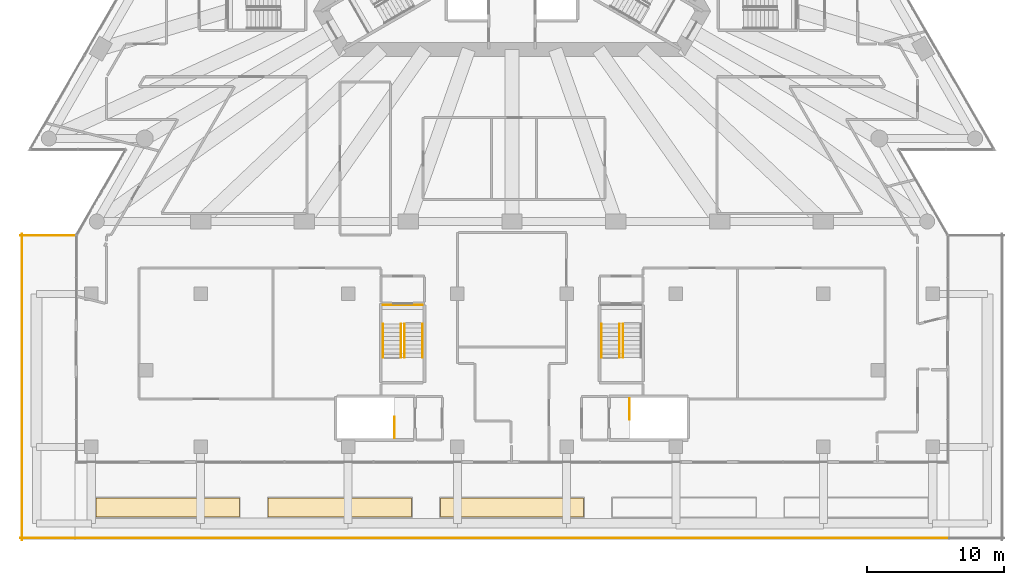
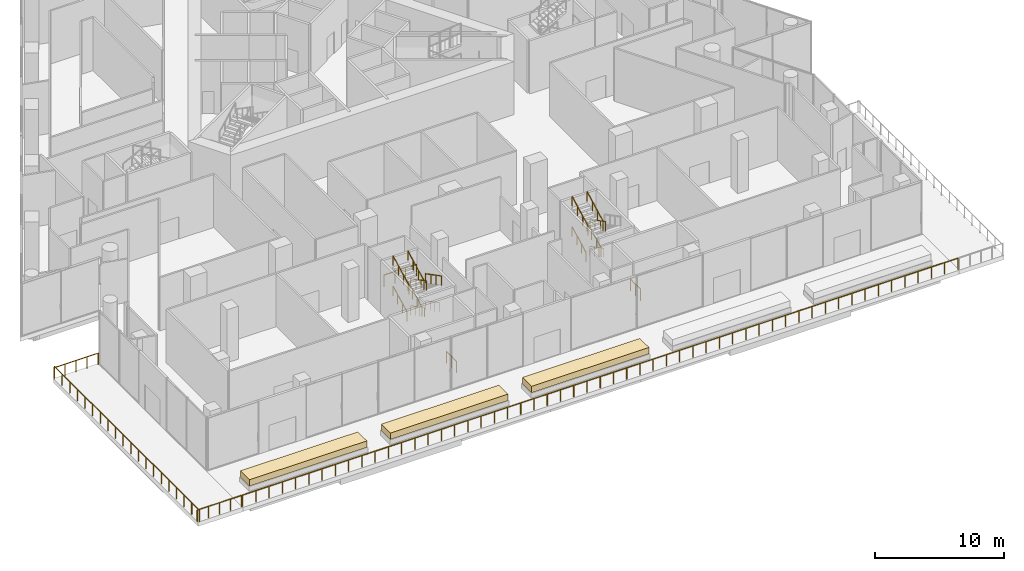
# One storey, part 30 of 32: 21 railings, 3 coverings, 2 elements without a shape of their own.
"""IFC4 building model written with IfcOpenShell, lengths in metres."""

from ifc_helpers import new_model, si_unit, direction, frame, origin, origin_2d, place, context, subcontext, project, spatial, polyline, circle, outline, extrude, material, layer, layer_set, type_object, element, aggregate, save


model = new_model("IFC4")

# Units and contexts
model_context = context("Model", 3, precision=1e-05, world=origin(), true_north=direction((0.0, 1.0)))
body_context = subcontext(model_context, "Body", "Model", "MODEL_VIEW")
ifc_project = project(units=[si_unit("LENGTHUNIT", "METRE"), si_unit("AREAUNIT", "SQUARE_METRE"), si_unit("VOLUMEUNIT", "CUBIC_METRE"), si_unit("PLANEANGLEUNIT", "RADIAN"), si_unit("MASSUNIT", "GRAM", prefix="KILO")], contexts=[model_context])

# Site, building, storey
site_placement = place(None, origin())
site = spatial("IfcSite", under=ifc_project, at=site_placement, CompositionType="ELEMENT")
building_placement = place(site_placement, origin())
building = spatial("IfcBuilding", under=site, at=building_placement, Name="Triada Interchange Tower", CompositionType="ELEMENT")
storey_placement = place(building_placement, frame((0.0, 0.0, 14.5)))
storey = spatial("IfcBuildingStorey", under=building, at=storey_placement, Name="L02", CompositionType="ELEMENT", Elevation=14.5)

# Coverings
ifc_material_1 = material(Name="Planting soil")
ifc_layer = layer(ifc_material_1, 0.60009765625)
ifc_layer_set = layer_set([ifc_layer], Name="Planting bed 600")
covering_type = type_object("IfcCoveringType", Name="Planting bed 600", PredefinedType="FLOORING", material=ifc_layer_set)
covering_1_placement = place(storey_placement, frame((0.0, 0.0, 0.449951171875)))
element("IfcCovering", 1, at=covering_1_placement, inside=storey, type_object=covering_type, Name="Planting bed PLANTER L02 07", PredefinedType="FLOORING", context=body_context, shape_type="SweptSolid", body=[
    extrude(outline(polyline([(-30.449951171875, -43.22998046875), (-19.949951171875, -43.22998046875), (-19.949951171875, -41.830078125), (-30.449951171875, -41.830078125), (-30.449951171875, -43.22998046875)])), origin(), (0.0, 0.0, 1.0), 0.60009765625),
])
covering_2_placement = place(storey_placement, frame((0.0, 0.0, 0.449951171875)))
element("IfcCovering", 2, at=covering_2_placement, inside=storey, type_object=covering_type, Name="Planting bed PLANTER L02 08", PredefinedType="FLOORING", context=body_context, shape_type="SweptSolid", body=[
    extrude(outline(polyline([(-17.85009765625, -43.22998046875), (-7.35009765625, -43.22998046875), (-7.35009765625, -41.830078125), (-17.85009765625, -41.830078125), (-17.85009765625, -43.22998046875)])), origin(), (0.0, 0.0, 1.0), 0.60009765625),
])
covering_3_placement = place(storey_placement, frame((0.0, 0.0, 0.449951171875)))
element("IfcCovering", 3, at=covering_3_placement, inside=storey, type_object=covering_type, Name="Planting bed PLANTER L02 09", PredefinedType="FLOORING", context=body_context, shape_type="SweptSolid", body=[
    extrude(outline(polyline([(-5.25, -43.22998046875), (5.25, -43.22998046875), (5.25, -41.830078125), (-5.25, -41.830078125), (-5.25, -43.22998046875)])), origin(), (0.0, 0.0, 1.0), 0.60009765625),
])

# Stair, railing
ifc_material_2 = material(Name="Concrete C35/45", Category="concrete")
stair_type = type_object("IfcStairType", Name="HALF TURN STAIR 1400", PredefinedType="HALF_TURN_STAIR", material=ifc_material_2)
stair_1_placement = place(storey_placement, origin())
stair_1 = element("IfcStair", 4, at=stair_1_placement, inside=storey, type_object=stair_type, Name="Exit stair S02-11", PredefinedType="HALF_TURN_STAIR")
ifc_material_3 = material(Name="Stainless steel 1.4301", Category="steel")
railing_type_1 = type_object("IfcRailingType", Name="STAIR GUARD 1100", PredefinedType="GUARDRAIL", material=ifc_material_3)
railing_1_placement = place(storey_placement, frame((-6.550048828125, -27.699951171875, 2.541015625)))
railing_1 = element("IfcRailing", 5, at=railing_1_placement, type_object=railing_type_1, Name="Guard S02-11 1", PredefinedType="GUARDRAIL", context=body_context, shape_type="SweptSolid", body=[
    extrude(circle(Radius=0.02392578125, at=origin_2d()), frame((0.0, 0.0, 1.076171875), z_axis=(-1.0, 0.0, 0.0), x_axis=(0.0, -1.0, 0.0)), (0.0, 0.0, 1.0), 2.89990234375),
    extrude(circle(Radius=0.02099609375, at=origin_2d()), origin(), (0.0, 0.0, 1.0), 1.052001953125),
    extrude(circle(Radius=0.02099609375, at=origin_2d()), frame((-0.966552734375, 0.0, 0.0)), (0.0, 0.0, 1.0), 1.052001953125),
    extrude(circle(Radius=0.02099609375, at=origin_2d()), frame((-1.933349609375, 0.0, 0.0)), (0.0, 0.0, 1.0), 1.052001953125),
    extrude(circle(Radius=0.02099609375, at=origin_2d()), frame((-2.89990234375, 0.0, 0.0)), (0.0, 0.0, 1.0), 1.052001953125),
])

# Railings
railing_2_placement = place(storey_placement, frame((-8.60009765625, -37.449951171875, 0.0)))
element("IfcRailing", 6, at=railing_2_placement, inside=storey, type_object=railing_type_1, Name="Guard well PX1 L02", PredefinedType="GUARDRAIL", context=body_context, shape_type="SweptSolid", body=[
    extrude(circle(Radius=0.02392578125, at=origin_2d()), frame((0.0, 0.0, 1.076171875), z_axis=(0.0, 1.0, 0.0), x_axis=(-1.0, 0.0, 0.0)), (0.0, 0.0, 1.0), 1.550048828125),
    extrude(circle(Radius=0.02099609375, at=origin_2d()), origin(), (0.0, 0.0, 1.0), 1.052001953125),
    extrude(circle(Radius=0.02099609375, at=origin_2d()), frame((0.0, 0.77490234375, 0.0)), (0.0, 0.0, 1.0), 1.052001953125),
    extrude(circle(Radius=0.02099609375, at=origin_2d()), frame((0.0, 1.550048828125, 0.0)), (0.0, 0.0, 1.0), 1.052001953125),
])
railing_3_placement = place(storey_placement, frame((8.60009765625, -34.550048828125, 0.0)))
element("IfcRailing", 7, at=railing_3_placement, inside=storey, type_object=railing_type_1, Name="Guard well PX2 L02", PredefinedType="GUARDRAIL", context=body_context, shape_type="SweptSolid", body=[
    extrude(circle(Radius=0.02392578125, at=origin_2d()), frame((0.0, 0.0, 1.076171875), z_axis=(0.0, -1.0, 0.0), x_axis=(1.0, 0.0, 0.0)), (0.0, 0.0, 1.0), 1.550048828125),
    extrude(circle(Radius=0.02099609375, at=origin_2d()), origin(), (0.0, 0.0, 1.0), 1.052001953125),
    extrude(circle(Radius=0.02099609375, at=origin_2d()), frame((0.0, -0.77490234375, 0.0)), (0.0, 0.0, 1.0), 1.052001953125),
    extrude(circle(Radius=0.02099609375, at=origin_2d()), frame((0.0, -1.550048828125, 0.0)), (0.0, 0.0, 1.0), 1.052001953125),
])

# Stair, railings
stair_2_placement = place(storey_placement, origin())
stair_2 = element("IfcStair", 8, at=stair_2_placement, inside=storey, type_object=stair_type, Name="Exit stair S02-10", PredefinedType="HALF_TURN_STAIR")
railing_type_2 = type_object("IfcRailingType", Name="STAIR HANDRAIL 900", PredefinedType="HANDRAIL", material=ifc_material_3)
railing_4_placement = place(storey_placement, frame((8.1201171875, -29.10009765625, 0.15869140625)))
railing_4 = element("IfcRailing", 9, at=railing_4_placement, type_object=railing_type_2, Name="Handrail S02-10 1C", PredefinedType="HANDRAIL", context=body_context, shape_type="SweptSolid", body=[
    extrude(circle(Radius=0.02392578125, at=origin_2d()), frame((0.0, 0.0, 0.8759765625), z_axis=(0.0, -0.886942649844, 0.461879568598), x_axis=(1.0, 0.0, 0.0)), (0.0, 0.0, 1.0), 2.4072265625),
    extrude(circle(Radius=0.02099609375, at=origin_2d()), origin(), (0.0, 0.0, 1.0), 0.851806640625),
    extrude(circle(Radius=0.02099609375, at=origin_2d()), frame((0.0, -0.711669921875, 0.37060546875)), (0.0, 0.0, 1.0), 0.851806640625),
    extrude(circle(Radius=0.02099609375, at=origin_2d()), frame((0.0, -1.42333984375, 0.7412109375)), (0.0, 0.0, 1.0), 0.851806640625),
    extrude(circle(Radius=0.02099609375, at=origin_2d()), frame((0.0, -2.135009765625, 1.11181640625)), (0.0, 0.0, 1.0), 0.851806640625),
])
railing_5_placement = place(storey_placement, frame((6.550048828125, -31.235107421875, 1.429443359375)))
railing_5 = element("IfcRailing", 10, at=railing_5_placement, type_object=railing_type_2, Name="Handrail S02-10 2W", PredefinedType="HANDRAIL", context=body_context, shape_type="SweptSolid", body=[
    extrude(circle(Radius=0.02392578125, at=origin_2d()), frame((0.0, 0.0, 0.8759765625), z_axis=(0.0, 0.886942649844, 0.461879568598), x_axis=(-1.0, 0.0, 0.0)), (0.0, 0.0, 1.0), 2.4072265625),
    extrude(circle(Radius=0.02099609375, at=origin_2d()), origin(), (0.0, 0.0, 1.0), 0.851806640625),
    extrude(circle(Radius=0.02099609375, at=origin_2d()), frame((0.0, 0.711669921875, 0.37060546875)), (0.0, 0.0, 1.0), 0.851806640625),
    extrude(circle(Radius=0.02099609375, at=origin_2d()), frame((0.0, 1.42333984375, 0.7412109375)), (0.0, 0.0, 1.0), 0.851806640625),
    extrude(circle(Radius=0.02099609375, at=origin_2d()), frame((0.0, 2.135009765625, 1.11181640625)), (0.0, 0.0, 1.0), 0.851806640625),
])
railing_6_placement = place(storey_placement, frame((7.8798828125, -31.235107421875, 1.429443359375)))
railing_6 = element("IfcRailing", 11, at=railing_6_placement, type_object=railing_type_2, Name="Handrail S02-10 2C", PredefinedType="HANDRAIL", context=body_context, shape_type="SweptSolid", body=[
    extrude(circle(Radius=0.02392578125, at=origin_2d()), frame((0.0, 0.0, 0.8759765625), z_axis=(0.0, 0.886942649844, 0.461879568598), x_axis=(-1.0, 0.0, 0.0)), (0.0, 0.0, 1.0), 2.4072265625),
    extrude(circle(Radius=0.02099609375, at=origin_2d()), origin(), (0.0, 0.0, 1.0), 0.851806640625),
    extrude(circle(Radius=0.02099609375, at=origin_2d()), frame((0.0, 0.711669921875, 0.37060546875)), (0.0, 0.0, 1.0), 0.851806640625),
    extrude(circle(Radius=0.02099609375, at=origin_2d()), frame((0.0, 1.42333984375, 0.7412109375)), (0.0, 0.0, 1.0), 0.851806640625),
    extrude(circle(Radius=0.02099609375, at=origin_2d()), frame((0.0, 2.135009765625, 1.11181640625)), (0.0, 0.0, 1.0), 0.851806640625),
])
railing_7_placement = place(storey_placement, frame((8.1201171875, -29.10009765625, 2.699951171875)))
railing_7 = element("IfcRailing", 12, at=railing_7_placement, type_object=railing_type_2, Name="Handrail S02-10 3C", PredefinedType="HANDRAIL", context=body_context, shape_type="SweptSolid", body=[
    extrude(circle(Radius=0.02392578125, at=origin_2d()), frame((0.0, 0.0, 0.8759765625), z_axis=(0.0, -0.886958015329, 0.461850061214), x_axis=(1.0, 0.0, 0.0)), (0.0, 0.0, 1.0), 2.7509765625),
    extrude(circle(Radius=0.02099609375, at=origin_2d()), origin(), (0.0, 0.0, 1.0), 0.851806640625),
    extrude(circle(Radius=0.02099609375, at=origin_2d()), frame((0.0, -0.813232421875, 0.423583984375)), (0.0, 0.0, 1.0), 0.851806640625),
    extrude(circle(Radius=0.02099609375, at=origin_2d()), frame((0.0, -1.626708984375, 0.846923828125)), (0.0, 0.0, 1.0), 0.851806640625),
    extrude(circle(Radius=0.02099609375, at=origin_2d()), frame((0.0, -2.43994140625, 1.2705078125)), (0.0, 0.0, 1.0), 0.851806640625),
])
railing_8_placement = place(storey_placement, frame((6.550048828125, -31.5400390625, 4.12939453125)))
railing_8 = element("IfcRailing", 13, at=railing_8_placement, type_object=railing_type_2, Name="Handrail S02-10 4W", PredefinedType="HANDRAIL", context=body_context, shape_type="SweptSolid", body=[
    extrude(circle(Radius=0.02392578125, at=origin_2d()), frame((0.0, 0.0, 0.8759765625), z_axis=(0.0, 0.886958015329, 0.461850061214), x_axis=(-1.0, 0.0, 0.0)), (0.0, 0.0, 1.0), 2.7509765625),
    extrude(circle(Radius=0.02099609375, at=origin_2d()), origin(), (0.0, 0.0, 1.0), 0.851806640625),
    extrude(circle(Radius=0.02099609375, at=origin_2d()), frame((0.0, 0.813232421875, 0.423583984375)), (0.0, 0.0, 1.0), 0.851806640625),
    extrude(circle(Radius=0.02099609375, at=origin_2d()), frame((0.0, 1.626708984375, 0.846923828125)), (0.0, 0.0, 1.0), 0.851806640625),
    extrude(circle(Radius=0.02099609375, at=origin_2d()), frame((0.0, 2.43994140625, 1.2705078125)), (0.0, 0.0, 1.0), 0.851806640625),
])
railing_9_placement = place(storey_placement, frame((7.8798828125, -31.5400390625, 4.12939453125)))
railing_9 = element("IfcRailing", 14, at=railing_9_placement, type_object=railing_type_2, Name="Handrail S02-10 4C", PredefinedType="HANDRAIL", context=body_context, shape_type="SweptSolid", body=[
    extrude(circle(Radius=0.02392578125, at=origin_2d()), frame((0.0, 0.0, 0.8759765625), z_axis=(0.0, 0.886958015329, 0.461850061214), x_axis=(-1.0, 0.0, 0.0)), (0.0, 0.0, 1.0), 2.7509765625),
    extrude(circle(Radius=0.02099609375, at=origin_2d()), origin(), (0.0, 0.0, 1.0), 0.851806640625),
    extrude(circle(Radius=0.02099609375, at=origin_2d()), frame((0.0, 0.813232421875, 0.423583984375)), (0.0, 0.0, 1.0), 0.851806640625),
    extrude(circle(Radius=0.02099609375, at=origin_2d()), frame((0.0, 1.626708984375, 0.846923828125)), (0.0, 0.0, 1.0), 0.851806640625),
    extrude(circle(Radius=0.02099609375, at=origin_2d()), frame((0.0, 2.43994140625, 1.2705078125)), (0.0, 0.0, 1.0), 0.851806640625),
])
aggregate(stair_2, [railing_4, railing_5, railing_6, railing_7, railing_8, railing_9])

# Railing
railing_10_placement = place(storey_placement, frame((-6.550048828125, -29.10009765625, 0.15869140625)))
railing_10 = element("IfcRailing", 15, at=railing_10_placement, type_object=railing_type_2, Name="Handrail S02-11 1W", PredefinedType="HANDRAIL", context=body_context, shape_type="SweptSolid", body=[
    extrude(circle(Radius=0.02392578125, at=origin_2d()), frame((0.0, 0.0, 0.8759765625), z_axis=(0.0, -0.886942649844, 0.461879568598), x_axis=(1.0, 0.0, 0.0)), (0.0, 0.0, 1.0), 2.4072265625),
    extrude(circle(Radius=0.02099609375, at=origin_2d()), origin(), (0.0, 0.0, 1.0), 0.851806640625),
    extrude(circle(Radius=0.02099609375, at=origin_2d()), frame((0.0, -0.711669921875, 0.37060546875)), (0.0, 0.0, 1.0), 0.851806640625),
    extrude(circle(Radius=0.02099609375, at=origin_2d()), frame((0.0, -1.42333984375, 0.7412109375)), (0.0, 0.0, 1.0), 0.851806640625),
    extrude(circle(Radius=0.02099609375, at=origin_2d()), frame((0.0, -2.135009765625, 1.11181640625)), (0.0, 0.0, 1.0), 0.851806640625),
])

railing_11_placement = place(storey_placement, frame((-7.8798828125, -29.10009765625, 0.15869140625)))
railing_11 = element("IfcRailing", 16, at=railing_11_placement, type_object=railing_type_2, Name="Handrail S02-11 1C", PredefinedType="HANDRAIL", context=body_context, shape_type="SweptSolid", body=[
    extrude(circle(Radius=0.02392578125, at=origin_2d()), frame((0.0, 0.0, 0.8759765625), z_axis=(0.0, -0.886942649844, 0.461879568598), x_axis=(1.0, 0.0, 0.0)), (0.0, 0.0, 1.0), 2.4072265625),
    extrude(circle(Radius=0.02099609375, at=origin_2d()), origin(), (0.0, 0.0, 1.0), 0.851806640625),
    extrude(circle(Radius=0.02099609375, at=origin_2d()), frame((0.0, -0.711669921875, 0.37060546875)), (0.0, 0.0, 1.0), 0.851806640625),
    extrude(circle(Radius=0.02099609375, at=origin_2d()), frame((0.0, -1.42333984375, 0.7412109375)), (0.0, 0.0, 1.0), 0.851806640625),
    extrude(circle(Radius=0.02099609375, at=origin_2d()), frame((0.0, -2.135009765625, 1.11181640625)), (0.0, 0.0, 1.0), 0.851806640625),
])

railing_12_placement = place(storey_placement, frame((-9.449951171875, -31.235107421875, 1.429443359375)))
railing_12 = element("IfcRailing", 17, at=railing_12_placement, type_object=railing_type_2, Name="Handrail S02-11 2W", PredefinedType="HANDRAIL", context=body_context, shape_type="SweptSolid", body=[
    extrude(circle(Radius=0.02392578125, at=origin_2d()), frame((0.0, 0.0, 0.8759765625), z_axis=(0.0, 0.886942649844, 0.461879568598), x_axis=(-1.0, 0.0, 0.0)), (0.0, 0.0, 1.0), 2.4072265625),
    extrude(circle(Radius=0.02099609375, at=origin_2d()), origin(), (0.0, 0.0, 1.0), 0.851806640625),
    extrude(circle(Radius=0.02099609375, at=origin_2d()), frame((0.0, 0.711669921875, 0.37060546875)), (0.0, 0.0, 1.0), 0.851806640625),
    extrude(circle(Radius=0.02099609375, at=origin_2d()), frame((0.0, 1.42333984375, 0.7412109375)), (0.0, 0.0, 1.0), 0.851806640625),
    extrude(circle(Radius=0.02099609375, at=origin_2d()), frame((0.0, 2.135009765625, 1.11181640625)), (0.0, 0.0, 1.0), 0.851806640625),
])

railing_13_placement = place(storey_placement, frame((-8.1201171875, -31.235107421875, 1.429443359375)))
railing_13 = element("IfcRailing", 18, at=railing_13_placement, type_object=railing_type_2, Name="Handrail S02-11 2C", PredefinedType="HANDRAIL", context=body_context, shape_type="SweptSolid", body=[
    extrude(circle(Radius=0.02392578125, at=origin_2d()), frame((0.0, 0.0, 0.8759765625), z_axis=(0.0, 0.886942649844, 0.461879568598), x_axis=(-1.0, 0.0, 0.0)), (0.0, 0.0, 1.0), 2.4072265625),
    extrude(circle(Radius=0.02099609375, at=origin_2d()), origin(), (0.0, 0.0, 1.0), 0.851806640625),
    extrude(circle(Radius=0.02099609375, at=origin_2d()), frame((0.0, 0.711669921875, 0.37060546875)), (0.0, 0.0, 1.0), 0.851806640625),
    extrude(circle(Radius=0.02099609375, at=origin_2d()), frame((0.0, 1.42333984375, 0.7412109375)), (0.0, 0.0, 1.0), 0.851806640625),
    extrude(circle(Radius=0.02099609375, at=origin_2d()), frame((0.0, 2.135009765625, 1.11181640625)), (0.0, 0.0, 1.0), 0.851806640625),
])

railing_14_placement = place(storey_placement, frame((-6.550048828125, -29.10009765625, 2.699951171875)))
railing_14 = element("IfcRailing", 19, at=railing_14_placement, type_object=railing_type_2, Name="Handrail S02-11 3W", PredefinedType="HANDRAIL", context=body_context, shape_type="SweptSolid", body=[
    extrude(circle(Radius=0.02392578125, at=origin_2d()), frame((0.0, 0.0, 0.8759765625), z_axis=(0.0, -0.886958015329, 0.461850061214), x_axis=(1.0, 0.0, 0.0)), (0.0, 0.0, 1.0), 2.7509765625),
    extrude(circle(Radius=0.02099609375, at=origin_2d()), origin(), (0.0, 0.0, 1.0), 0.851806640625),
    extrude(circle(Radius=0.02099609375, at=origin_2d()), frame((0.0, -0.813232421875, 0.423583984375)), (0.0, 0.0, 1.0), 0.851806640625),
    extrude(circle(Radius=0.02099609375, at=origin_2d()), frame((0.0, -1.626708984375, 0.846923828125)), (0.0, 0.0, 1.0), 0.851806640625),
    extrude(circle(Radius=0.02099609375, at=origin_2d()), frame((0.0, -2.43994140625, 1.2705078125)), (0.0, 0.0, 1.0), 0.851806640625),
])

railing_15_placement = place(storey_placement, frame((-7.8798828125, -29.10009765625, 2.699951171875)))
railing_15 = element("IfcRailing", 20, at=railing_15_placement, type_object=railing_type_2, Name="Handrail S02-11 3C", PredefinedType="HANDRAIL", context=body_context, shape_type="SweptSolid", body=[
    extrude(circle(Radius=0.02392578125, at=origin_2d()), frame((0.0, 0.0, 0.8759765625), z_axis=(0.0, -0.886958015329, 0.461850061214), x_axis=(1.0, 0.0, 0.0)), (0.0, 0.0, 1.0), 2.7509765625),
    extrude(circle(Radius=0.02099609375, at=origin_2d()), origin(), (0.0, 0.0, 1.0), 0.851806640625),
    extrude(circle(Radius=0.02099609375, at=origin_2d()), frame((0.0, -0.813232421875, 0.423583984375)), (0.0, 0.0, 1.0), 0.851806640625),
    extrude(circle(Radius=0.02099609375, at=origin_2d()), frame((0.0, -1.626708984375, 0.846923828125)), (0.0, 0.0, 1.0), 0.851806640625),
    extrude(circle(Radius=0.02099609375, at=origin_2d()), frame((0.0, -2.43994140625, 1.2705078125)), (0.0, 0.0, 1.0), 0.851806640625),
])

railing_16_placement = place(storey_placement, frame((-9.449951171875, -31.5400390625, 4.12939453125)))
railing_16 = element("IfcRailing", 21, at=railing_16_placement, type_object=railing_type_2, Name="Handrail S02-11 4W", PredefinedType="HANDRAIL", context=body_context, shape_type="SweptSolid", body=[
    extrude(circle(Radius=0.02392578125, at=origin_2d()), frame((0.0, 0.0, 0.8759765625), z_axis=(0.0, 0.886958015329, 0.461850061214), x_axis=(-1.0, 0.0, 0.0)), (0.0, 0.0, 1.0), 2.7509765625),
    extrude(circle(Radius=0.02099609375, at=origin_2d()), origin(), (0.0, 0.0, 1.0), 0.851806640625),
    extrude(circle(Radius=0.02099609375, at=origin_2d()), frame((0.0, 0.813232421875, 0.423583984375)), (0.0, 0.0, 1.0), 0.851806640625),
    extrude(circle(Radius=0.02099609375, at=origin_2d()), frame((0.0, 1.626708984375, 0.846923828125)), (0.0, 0.0, 1.0), 0.851806640625),
    extrude(circle(Radius=0.02099609375, at=origin_2d()), frame((0.0, 2.43994140625, 1.2705078125)), (0.0, 0.0, 1.0), 0.851806640625),
])

railing_17_placement = place(storey_placement, frame((-8.1201171875, -31.5400390625, 4.12939453125)))
railing_17 = element("IfcRailing", 22, at=railing_17_placement, type_object=railing_type_2, Name="Handrail S02-11 4C", PredefinedType="HANDRAIL", context=body_context, shape_type="SweptSolid", body=[
    extrude(circle(Radius=0.02392578125, at=origin_2d()), frame((0.0, 0.0, 0.8759765625), z_axis=(0.0, 0.886958015329, 0.461850061214), x_axis=(-1.0, 0.0, 0.0)), (0.0, 0.0, 1.0), 2.7509765625),
    extrude(circle(Radius=0.02099609375, at=origin_2d()), origin(), (0.0, 0.0, 1.0), 0.851806640625),
    extrude(circle(Radius=0.02099609375, at=origin_2d()), frame((0.0, 0.813232421875, 0.423583984375)), (0.0, 0.0, 1.0), 0.851806640625),
    extrude(circle(Radius=0.02099609375, at=origin_2d()), frame((0.0, 1.626708984375, 0.846923828125)), (0.0, 0.0, 1.0), 0.851806640625),
    extrude(circle(Radius=0.02099609375, at=origin_2d()), frame((0.0, 2.43994140625, 1.2705078125)), (0.0, 0.0, 1.0), 0.851806640625),
])

aggregate(stair_1, [railing_10, railing_11, railing_12, railing_13, railing_14, railing_15, railing_16, railing_17, railing_1])

# Railings
railing_type_3 = type_object("IfcRailingType", Name="Terrace guard 1100", PredefinedType="GUARDRAIL", material=ifc_material_3)
railing_18_placement = place(storey_placement, frame((-36.0, -44.780029296875, 0.0)))
element("IfcRailing", 23, at=railing_18_placement, inside=storey, type_object=railing_type_3, Name="Guard L02 terrace 08", PredefinedType="GUARDRAIL", context=body_context, shape_type="SweptSolid", body=[
    extrude(circle(Radius=0.02392578125, at=origin_2d()), frame((0.0, 0.0, 1.076171875), z_axis=(1.0, 0.0, 0.0), x_axis=(0.0, 1.0, 0.0)), (0.0, 0.0, 1.0), 3.949951171875),
    extrude(circle(Radius=0.02099609375, at=origin_2d()), origin(), (0.0, 0.0, 1.0), 1.052001953125),
    extrude(circle(Radius=0.02099609375, at=origin_2d()), frame((0.987548828125, 0.0, 0.0)), (0.0, 0.0, 1.0), 1.052001953125),
    extrude(circle(Radius=0.02099609375, at=origin_2d()), frame((1.97509765625, 0.0, 0.0)), (0.0, 0.0, 1.0), 1.052001953125),
    extrude(circle(Radius=0.02099609375, at=origin_2d()), frame((2.96240234375, 0.0, 0.0)), (0.0, 0.0, 1.0), 1.052001953125),
    extrude(circle(Radius=0.02099609375, at=origin_2d()), frame((3.949951171875, 0.0, 0.0)), (0.0, 0.0, 1.0), 1.052001953125),
])
railing_19_placement = place(storey_placement, frame((-32.050048828125, -22.6201171875, 0.0)))
element("IfcRailing", 24, at=railing_19_placement, inside=storey, type_object=railing_type_3, Name="Guard L02 terrace 09", PredefinedType="GUARDRAIL", context=body_context, shape_type="SweptSolid", body=[
    extrude(circle(Radius=0.02392578125, at=origin_2d()), frame((0.0, 0.0, 1.076171875), z_axis=(-1.0, 0.0, 0.0), x_axis=(0.0, -1.0, 0.0)), (0.0, 0.0, 1.0), 3.949951171875),
    extrude(circle(Radius=0.02099609375, at=origin_2d()), origin(), (0.0, 0.0, 1.0), 1.052001953125),
    extrude(circle(Radius=0.02099609375, at=origin_2d()), frame((-0.987548828125, 0.0, 0.0)), (0.0, 0.0, 1.0), 1.052001953125),
    extrude(circle(Radius=0.02099609375, at=origin_2d()), frame((-1.97509765625, 0.0, 0.0)), (0.0, 0.0, 1.0), 1.052001953125),
    extrude(circle(Radius=0.02099609375, at=origin_2d()), frame((-2.96240234375, 0.0, 0.0)), (0.0, 0.0, 1.0), 1.052001953125),
    extrude(circle(Radius=0.02099609375, at=origin_2d()), frame((-3.949951171875, 0.0, 0.0)), (0.0, 0.0, 1.0), 1.052001953125),
])
railing_20_placement = place(storey_placement, frame((-35.8798828125, -22.5, 0.0)))
element("IfcRailing", 25, at=railing_20_placement, inside=storey, type_object=railing_type_3, Name="Guard L02 terrace 10", PredefinedType="GUARDRAIL", context=body_context, shape_type="SweptSolid", body=[
    extrude(circle(Radius=0.02392578125, at=origin_2d()), frame((0.0, 0.0, 1.076171875), z_axis=(0.0, -1.0, 0.0), x_axis=(1.0, 0.0, 0.0)), (0.0, 0.0, 1.0), 22.39990234375),
    extrude(circle(Radius=0.02099609375, at=origin_2d()), origin(), (0.0, 0.0, 1.0), 1.052001953125),
    extrude(circle(Radius=0.02099609375, at=origin_2d()), frame((0.0, -1.178955078125, 0.0)), (0.0, 0.0, 1.0), 1.052001953125),
    extrude(circle(Radius=0.02099609375, at=origin_2d()), frame((0.0, -2.35791015625, 0.0)), (0.0, 0.0, 1.0), 1.052001953125),
    extrude(circle(Radius=0.02099609375, at=origin_2d()), frame((0.0, -3.536865234375, 0.0)), (0.0, 0.0, 1.0), 1.052001953125),
    extrude(circle(Radius=0.02099609375, at=origin_2d()), frame((0.0, -4.7158203125, 0.0)), (0.0, 0.0, 1.0), 1.052001953125),
    extrude(circle(Radius=0.02099609375, at=origin_2d()), frame((0.0, -5.894775390625, 0.0)), (0.0, 0.0, 1.0), 1.052001953125),
    extrude(circle(Radius=0.02099609375, at=origin_2d()), frame((0.0, -7.07373046875, 0.0)), (0.0, 0.0, 1.0), 1.052001953125),
    extrude(circle(Radius=0.02099609375, at=origin_2d()), frame((0.0, -8.252685546875, 0.0)), (0.0, 0.0, 1.0), 1.052001953125),
    extrude(circle(Radius=0.02099609375, at=origin_2d()), frame((0.0, -9.431640625, 0.0)), (0.0, 0.0, 1.0), 1.052001953125),
    extrude(circle(Radius=0.02099609375, at=origin_2d()), frame((0.0, -10.610595703125, 0.0)), (0.0, 0.0, 1.0), 1.052001953125),
    extrude(circle(Radius=0.02099609375, at=origin_2d()), frame((0.0, -11.789306640625, 0.0)), (0.0, 0.0, 1.0), 1.052001953125),
    extrude(circle(Radius=0.02099609375, at=origin_2d()), frame((0.0, -12.96826171875, 0.0)), (0.0, 0.0, 1.0), 1.052001953125),
    extrude(circle(Radius=0.02099609375, at=origin_2d()), frame((0.0, -14.147216796875, 0.0)), (0.0, 0.0, 1.0), 1.052001953125),
    extrude(circle(Radius=0.02099609375, at=origin_2d()), frame((0.0, -15.326171875, 0.0)), (0.0, 0.0, 1.0), 1.052001953125),
    extrude(circle(Radius=0.02099609375, at=origin_2d()), frame((0.0, -16.505126953125, 0.0)), (0.0, 0.0, 1.0), 1.052001953125),
    extrude(circle(Radius=0.02099609375, at=origin_2d()), frame((0.0, -17.68408203125, 0.0)), (0.0, 0.0, 1.0), 1.052001953125),
    extrude(circle(Radius=0.02099609375, at=origin_2d()), frame((0.0, -18.863037109375, 0.0)), (0.0, 0.0, 1.0), 1.052001953125),
    extrude(circle(Radius=0.02099609375, at=origin_2d()), frame((0.0, -20.0419921875, 0.0)), (0.0, 0.0, 1.0), 1.052001953125),
    extrude(circle(Radius=0.02099609375, at=origin_2d()), frame((0.0, -21.220947265625, 0.0)), (0.0, 0.0, 1.0), 1.052001953125),
    extrude(circle(Radius=0.02099609375, at=origin_2d()), frame((0.0, -22.39990234375, 0.0)), (0.0, 0.0, 1.0), 1.052001953125),
])
railing_21_placement = place(storey_placement, frame((-31.949951171875, -44.780029296875, 0.0)))
element("IfcRailing", 26, at=railing_21_placement, inside=storey, type_object=railing_type_3, Name="Guard L02 terrace 14", PredefinedType="GUARDRAIL", context=body_context, shape_type="SweptSolid", body=[
    extrude(circle(Radius=0.02392578125, at=origin_2d()), frame((0.0, 0.0, 1.076171875), z_axis=(1.0, 0.0, 0.0), x_axis=(0.0, 1.0, 0.0)), (0.0, 0.0, 1.0), 63.89990234375),
    extrude(circle(Radius=0.02099609375, at=origin_2d()), origin(), (0.0, 0.0, 1.0), 1.052001953125),
    extrude(circle(Radius=0.02099609375, at=origin_2d()), frame((1.183349609375, 0.0, 0.0)), (0.0, 0.0, 1.0), 1.052001953125),
    extrude(circle(Radius=0.02099609375, at=origin_2d()), frame((2.36669921875, 0.0, 0.0)), (0.0, 0.0, 1.0), 1.052001953125),
    extrude(circle(Radius=0.02099609375, at=origin_2d()), frame((3.550048828125, 0.0, 0.0)), (0.0, 0.0, 1.0), 1.052001953125),
    extrude(circle(Radius=0.02099609375, at=origin_2d()), frame((4.7333984375, 0.0, 0.0)), (0.0, 0.0, 1.0), 1.052001953125),
    extrude(circle(Radius=0.02099609375, at=origin_2d()), frame((5.916748046875, 0.0, 0.0)), (0.0, 0.0, 1.0), 1.052001953125),
    extrude(circle(Radius=0.02099609375, at=origin_2d()), frame((7.10009765625, 0.0, 0.0)), (0.0, 0.0, 1.0), 1.052001953125),
    extrude(circle(Radius=0.02099609375, at=origin_2d()), frame((8.283203125, 0.0, 0.0)), (0.0, 0.0, 1.0), 1.052001953125),
    extrude(circle(Radius=0.02099609375, at=origin_2d()), frame((9.466552734375, 0.0, 0.0)), (0.0, 0.0, 1.0), 1.052001953125),
    extrude(circle(Radius=0.02099609375, at=origin_2d()), frame((10.64990234375, 0.0, 0.0)), (0.0, 0.0, 1.0), 1.052001953125),
    extrude(circle(Radius=0.02099609375, at=origin_2d()), frame((11.833251953125, 0.0, 0.0)), (0.0, 0.0, 1.0), 1.052001953125),
    extrude(circle(Radius=0.02099609375, at=origin_2d()), frame((13.0166015625, 0.0, 0.0)), (0.0, 0.0, 1.0), 1.052001953125),
    extrude(circle(Radius=0.02099609375, at=origin_2d()), frame((14.199951171875, 0.0, 0.0)), (0.0, 0.0, 1.0), 1.052001953125),
    extrude(circle(Radius=0.02099609375, at=origin_2d()), frame((15.38330078125, 0.0, 0.0)), (0.0, 0.0, 1.0), 1.052001953125),
    extrude(circle(Radius=0.02099609375, at=origin_2d()), frame((16.566650390625, 0.0, 0.0)), (0.0, 0.0, 1.0), 1.052001953125),
    extrude(circle(Radius=0.02099609375, at=origin_2d()), frame((17.75, 0.0, 0.0)), (0.0, 0.0, 1.0), 1.052001953125),
    extrude(circle(Radius=0.02099609375, at=origin_2d()), frame((18.933349609375, 0.0, 0.0)), (0.0, 0.0, 1.0), 1.052001953125),
    extrude(circle(Radius=0.02099609375, at=origin_2d()), frame((20.11669921875, 0.0, 0.0)), (0.0, 0.0, 1.0), 1.052001953125),
    extrude(circle(Radius=0.02099609375, at=origin_2d()), frame((21.300048828125, 0.0, 0.0)), (0.0, 0.0, 1.0), 1.052001953125),
    extrude(circle(Radius=0.02099609375, at=origin_2d()), frame((22.4833984375, 0.0, 0.0)), (0.0, 0.0, 1.0), 1.052001953125),
    extrude(circle(Radius=0.02099609375, at=origin_2d()), frame((23.666748046875, 0.0, 0.0)), (0.0, 0.0, 1.0), 1.052001953125),
    extrude(circle(Radius=0.02099609375, at=origin_2d()), frame((24.849853515625, 0.0, 0.0)), (0.0, 0.0, 1.0), 1.052001953125),
    extrude(circle(Radius=0.02099609375, at=origin_2d()), frame((26.033203125, 0.0, 0.0)), (0.0, 0.0, 1.0), 1.052001953125),
    extrude(circle(Radius=0.02099609375, at=origin_2d()), frame((27.216552734375, 0.0, 0.0)), (0.0, 0.0, 1.0), 1.052001953125),
    extrude(circle(Radius=0.02099609375, at=origin_2d()), frame((28.39990234375, 0.0, 0.0)), (0.0, 0.0, 1.0), 1.052001953125),
    extrude(circle(Radius=0.02099609375, at=origin_2d()), frame((29.583251953125, 0.0, 0.0)), (0.0, 0.0, 1.0), 1.052001953125),
    extrude(circle(Radius=0.02099609375, at=origin_2d()), frame((30.7666015625, 0.0, 0.0)), (0.0, 0.0, 1.0), 1.052001953125),
    extrude(circle(Radius=0.02099609375, at=origin_2d()), frame((31.949951171875, 0.0, 0.0)), (0.0, 0.0, 1.0), 1.052001953125),
    extrude(circle(Radius=0.02099609375, at=origin_2d()), frame((33.13330078125, 0.0, 0.0)), (0.0, 0.0, 1.0), 1.052001953125),
    extrude(circle(Radius=0.02099609375, at=origin_2d()), frame((34.316650390625, 0.0, 0.0)), (0.0, 0.0, 1.0), 1.052001953125),
    extrude(circle(Radius=0.02099609375, at=origin_2d()), frame((35.5, 0.0, 0.0)), (0.0, 0.0, 1.0), 1.052001953125),
    extrude(circle(Radius=0.02099609375, at=origin_2d()), frame((36.683349609375, 0.0, 0.0)), (0.0, 0.0, 1.0), 1.052001953125),
    extrude(circle(Radius=0.02099609375, at=origin_2d()), frame((37.86669921875, 0.0, 0.0)), (0.0, 0.0, 1.0), 1.052001953125),
    extrude(circle(Radius=0.02099609375, at=origin_2d()), frame((39.050048828125, 0.0, 0.0)), (0.0, 0.0, 1.0), 1.052001953125),
    extrude(circle(Radius=0.02099609375, at=origin_2d()), frame((40.233154296875, 0.0, 0.0)), (0.0, 0.0, 1.0), 1.052001953125),
    extrude(circle(Radius=0.02099609375, at=origin_2d()), frame((41.41650390625, 0.0, 0.0)), (0.0, 0.0, 1.0), 1.052001953125),
    extrude(circle(Radius=0.02099609375, at=origin_2d()), frame((42.599853515625, 0.0, 0.0)), (0.0, 0.0, 1.0), 1.052001953125),
    extrude(circle(Radius=0.02099609375, at=origin_2d()), frame((43.783203125, 0.0, 0.0)), (0.0, 0.0, 1.0), 1.052001953125),
    extrude(circle(Radius=0.02099609375, at=origin_2d()), frame((44.966552734375, 0.0, 0.0)), (0.0, 0.0, 1.0), 1.052001953125),
    extrude(circle(Radius=0.02099609375, at=origin_2d()), frame((46.14990234375, 0.0, 0.0)), (0.0, 0.0, 1.0), 1.052001953125),
    extrude(circle(Radius=0.02099609375, at=origin_2d()), frame((47.333251953125, 0.0, 0.0)), (0.0, 0.0, 1.0), 1.052001953125),
    extrude(circle(Radius=0.02099609375, at=origin_2d()), frame((48.5166015625, 0.0, 0.0)), (0.0, 0.0, 1.0), 1.052001953125),
    extrude(circle(Radius=0.02099609375, at=origin_2d()), frame((49.699951171875, 0.0, 0.0)), (0.0, 0.0, 1.0), 1.052001953125),
    extrude(circle(Radius=0.02099609375, at=origin_2d()), frame((50.88330078125, 0.0, 0.0)), (0.0, 0.0, 1.0), 1.052001953125),
    extrude(circle(Radius=0.02099609375, at=origin_2d()), frame((52.066650390625, 0.0, 0.0)), (0.0, 0.0, 1.0), 1.052001953125),
    extrude(circle(Radius=0.02099609375, at=origin_2d()), frame((53.25, 0.0, 0.0)), (0.0, 0.0, 1.0), 1.052001953125),
    extrude(circle(Radius=0.02099609375, at=origin_2d()), frame((54.433349609375, 0.0, 0.0)), (0.0, 0.0, 1.0), 1.052001953125),
    extrude(circle(Radius=0.02099609375, at=origin_2d()), frame((55.61669921875, 0.0, 0.0)), (0.0, 0.0, 1.0), 1.052001953125),
    extrude(circle(Radius=0.02099609375, at=origin_2d()), frame((56.7998046875, 0.0, 0.0)), (0.0, 0.0, 1.0), 1.052001953125),
    extrude(circle(Radius=0.02099609375, at=origin_2d()), frame((57.983154296875, 0.0, 0.0)), (0.0, 0.0, 1.0), 1.052001953125),
    extrude(circle(Radius=0.02099609375, at=origin_2d()), frame((59.16650390625, 0.0, 0.0)), (0.0, 0.0, 1.0), 1.052001953125),
    extrude(circle(Radius=0.02099609375, at=origin_2d()), frame((60.349853515625, 0.0, 0.0)), (0.0, 0.0, 1.0), 1.052001953125),
    extrude(circle(Radius=0.02099609375, at=origin_2d()), frame((61.533203125, 0.0, 0.0)), (0.0, 0.0, 1.0), 1.052001953125),
    extrude(circle(Radius=0.02099609375, at=origin_2d()), frame((62.716552734375, 0.0, 0.0)), (0.0, 0.0, 1.0), 1.052001953125),
    extrude(circle(Radius=0.02099609375, at=origin_2d()), frame((63.89990234375, 0.0, 0.0)), (0.0, 0.0, 1.0), 1.052001953125),
])

save(model, "model.ifc")
